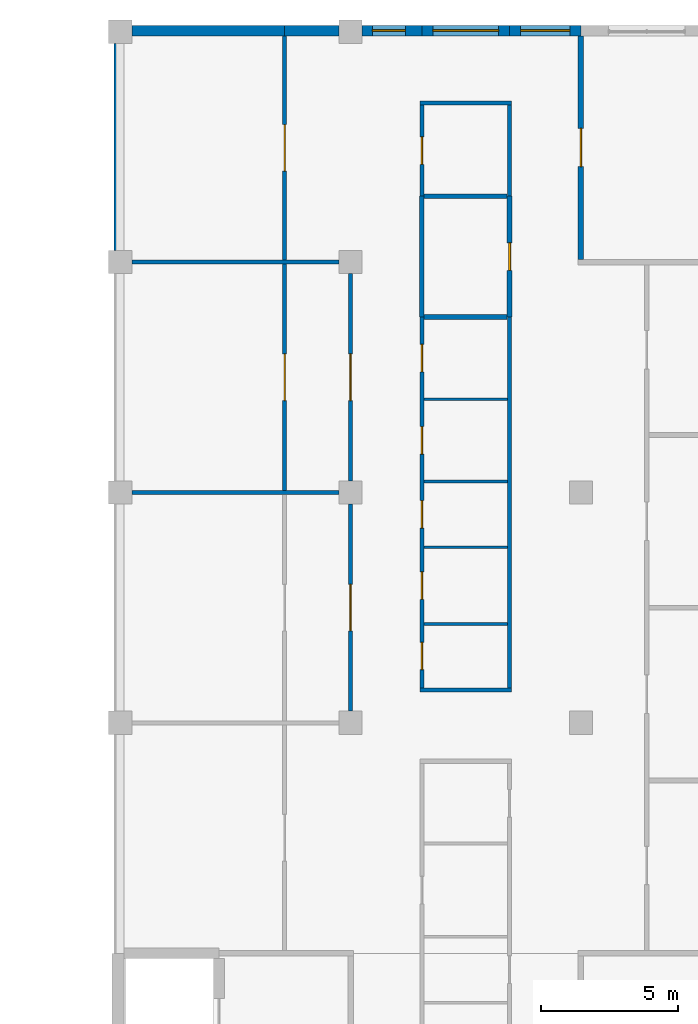
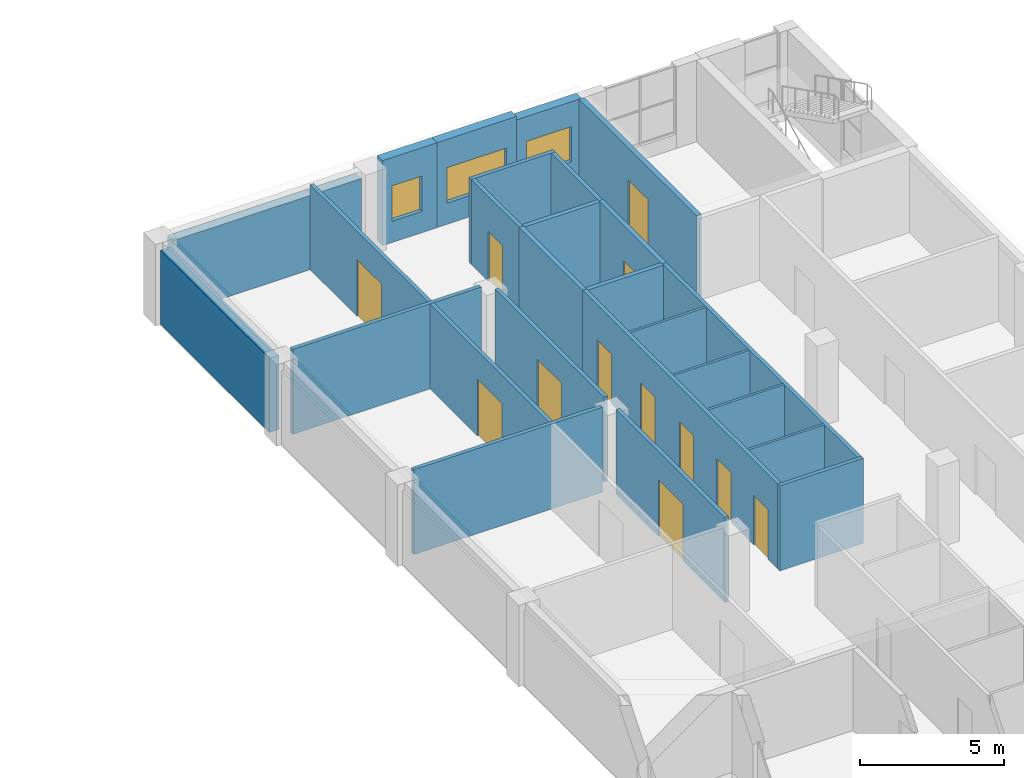
# One storey, part 77 of 94: 27 walls, 12 doors, 3 windows, 15 openings.
"""IFC4 building model written with IfcOpenShell, lengths in metres."""

import ifcopenshell
import ifcopenshell.guid

model = None  # the IFC model being written
_history = None  # IfcOwnerHistory: only IFC2X3 demands one
_inside = {}  # id of a spatial element -> (the spatial element, [elements in it])
_under = {}  # id of a project, library or spatial element -> (it, [spatial elements below it])
_declared = {}  # id of a project -> (the project, [libraries it declares])
_typed = {}  # id of a type object -> (the type object, [elements of that type])
_made_of = {}  # id of a material, layer set ... -> (it, [elements and type objects made of it])


def new_model(schema):
    """Start an empty IFC model of exactly this schema.

    Asked for "IFC4X3", IfcOpenShell would pick the latest addendum, in which some entities
    have other attributes; the version numbers below select the first issue.
    IFC2X3 requires an IfcOwnerHistory on every rooted entity: one is made here for all.
    """
    global model, _history
    if schema == "IFC4X3":
        model = ifcopenshell.file(schema_version=(4, 3, 0, 0))
    else:
        model = ifcopenshell.file(schema=schema)
    _inside.clear()
    _under.clear()
    _declared.clear()
    _typed.clear()
    _made_of.clear()
    _history = None
    if model.schema == "IFC2X3":
        org = make("IfcOrganization", Name="unknown")
        user = make(
            "IfcPersonAndOrganization",
            ThePerson=make("IfcPerson", FamilyName="unknown"),
            TheOrganization=org,
        )
        app = make(
            "IfcApplication",
            ApplicationDeveloper=org,
            Version="unknown",
            ApplicationFullName="unknown",
            ApplicationIdentifier="unknown",
        )
        _history = make(
            "IfcOwnerHistory",
            OwningUser=user,
            OwningApplication=app,
            ChangeAction="ADDED",
            CreationDate=0,
        )
    return model


def make(cls, **values):
    """One entity of the class cls with the attributes given. An attribute that is None is left unset."""
    return model.create_entity(
        cls, **{name: value for name, value in values.items() if value is not None}
    )


def rooted(cls, **values):
    """An entity with a GlobalId (a new one), such as an element, a storey or a relation."""
    return make(cls, GlobalId=ifcopenshell.guid.new(), OwnerHistory=_history, **values)


def si_unit(unit_type, name, prefix=None):
    """IfcSIUnit, for example si_unit("LENGTHUNIT", "METRE", prefix="MILLI")."""
    return make("IfcSIUnit", UnitType=unit_type, Prefix=prefix, Name=name)


def assignment(units):
    """IfcUnitAssignment: the units of a project."""
    return None if units is None else make("IfcUnitAssignment", Units=units)


def point(xyz):
    """IfcCartesianPoint."""
    return None if xyz is None else make("IfcCartesianPoint", Coordinates=xyz)


def direction(xyz):
    """IfcDirection."""
    return None if xyz is None else make("IfcDirection", DirectionRatios=xyz)


def frame(location, z_axis=None, x_axis=None):
    """IfcAxis2Placement3D, a coordinate frame: its origin and axes. An axis left out is left unset."""
    return make(
        "IfcAxis2Placement3D",
        Location=point(location),
        Axis=direction(z_axis),
        RefDirection=direction(x_axis),
    )


def frame_2d(location, x_axis=None):
    """IfcAxis2Placement2D, a coordinate frame in the plane: its origin and x axis."""
    return make(
        "IfcAxis2Placement2D", Location=point(location), RefDirection=direction(x_axis)
    )


def origin():
    """The frame at (0, 0, 0) with its axes left unset."""
    return frame((0.0, 0.0, 0.0))


def place(relative_to, where):
    """IfcLocalPlacement: puts the frame where relative to a parent placement (None: the world)."""
    return make(
        "IfcLocalPlacement", PlacementRelTo=relative_to, RelativePlacement=where
    )


def context(
    kind, dimensions, precision=None, world=None, true_north=None, identifier=None
):
    """IfcGeometricRepresentationContext, for example the 3D "Model" context."""
    return make(
        "IfcGeometricRepresentationContext",
        ContextIdentifier=identifier,
        ContextType=kind,
        CoordinateSpaceDimension=dimensions,
        Precision=precision,
        WorldCoordinateSystem=world,
        TrueNorth=true_north,
    )


def subcontext(parent, identifier, kind, view, scale=None):
    """IfcGeometricRepresentationSubContext, for example "Body" below "Model"."""
    return make(
        "IfcGeometricRepresentationSubContext",
        ContextIdentifier=identifier,
        ContextType=kind,
        ParentContext=parent,
        TargetScale=scale,
        TargetView=view,
    )


def project(units=None, contexts=None):
    """IfcProject with its units and contexts."""
    return rooted(
        "IfcProject",
        Name="project",
        RepresentationContexts=contexts,
        UnitsInContext=assignment(units),
    )


def spatial(cls, under=None, at=None, **own):
    """A site, building, storey or space (cls), placed at a placement, below another one or the project."""
    s = rooted(cls, ObjectPlacement=at, **own)
    if under is not None:
        _under.setdefault(under.id(), (under, []))[1].append(s)
    return s


def profile(cls, at=None, kind="AREA", **sizes):
    """A parametric profile (cls). Its sizes go by their IFC names, for example OverallWidth=200.0."""
    return make(cls, ProfileType=kind, Position=at, **sizes)


def rectangle(**sizes):
    """IfcRectangleProfileDef."""
    return profile("IfcRectangleProfileDef", **sizes)


def extrude(swept, where, along, depth):
    """IfcExtrudedAreaSolid: the profile swept, set in the frame where, extruded along a direction by depth."""
    return make(
        "IfcExtrudedAreaSolid",
        SweptArea=swept,
        Position=where,
        ExtrudedDirection=direction(along),
        Depth=depth,
    )


def shape(context_of_items, identifier, shape_type, items):
    """IfcShapeRepresentation: the items that make up one representation, for example the "Body"."""
    return make(
        "IfcShapeRepresentation",
        ContextOfItems=context_of_items,
        RepresentationIdentifier=identifier,
        RepresentationType=shape_type,
        Items=items,
    )


def material(Name=None, Category=None):
    """IfcMaterial."""
    return make("IfcMaterial", Name=Name, Category=Category)


def layer(
    of_material, thickness, ventilated=None, Name=None, Category=None, Priority=None
):
    """IfcMaterialLayer: one layer of a wall or slab, of a material (None: an air gap)."""
    return make(
        "IfcMaterialLayer",
        Material=of_material,
        LayerThickness=thickness,
        IsVentilated=ventilated,
        Name=Name,
        Category=Category,
        Priority=Priority,
    )


def layer_set(layers, Name=None):
    """IfcMaterialLayerSet."""
    return make("IfcMaterialLayerSet", MaterialLayers=layers, LayerSetName=Name)


def made_of(thing, what):
    """Note that an element or type object is made of a material, layer set ...; save() writes the relation."""
    if what is not None:
        _made_of.setdefault(what.id(), (what, []))[1].append(thing)
    return thing


def type_object(cls, material=None, **own):
    """A type object (cls), such as IfcWallType, which elements share."""
    return made_of(rooted(cls, **own), material)


def element(
    cls,
    number,
    at=None,
    inside=None,
    cuts=None,
    type_object=None,
    material=None,
    context=None,
    identifier="Body",
    shape_type=None,
    held_by="IfcProductDefinitionShape",
    body=None,
    shapes=None,
    **own,
):
    """One element of the class cls, such as IfcWall. Its Tag is "e" and its number.

    at: its placement. inside: the storey or other place that contains it. cuts: it is an
    opening in that element (IfcRelVoidsElement). A single representation is given by context,
    identifier, shape_type and body (its items); several are given by shapes. held_by: the class
    of the entity that holds the representations. save() writes the other relations.
    """
    e = rooted(cls, Tag="e%d" % number, ObjectPlacement=at, **own)
    if body is not None:
        shapes = [shape(context, identifier, shape_type, body)]
    if shapes is not None:
        e.Representation = make(held_by, Representations=shapes)
    if inside is not None:
        _inside.setdefault(inside.id(), (inside, []))[1].append(e)
    if cuts is not None:
        rooted(
            "IfcRelVoidsElement", RelatingBuildingElement=cuts, RelatedOpeningElement=e
        )
    if type_object is not None:
        _typed.setdefault(type_object.id(), (type_object, []))[1].append(e)
    return made_of(e, material)


def fill(opening, filler):
    """IfcRelFillsElement: the door or window that sits in an opening."""
    return rooted(
        "IfcRelFillsElement",
        RelatingOpeningElement=opening,
        RelatedBuildingElement=filler,
    )


def aggregate(whole, parts):
    """IfcRelAggregates: a whole, such as a stair, and the parts it consists of."""
    return rooted("IfcRelAggregates", RelatingObject=whole, RelatedObjects=parts)


def save(model, path):
    """Write the relations noted so far, then the file.

    IfcRelAggregates (storeys below a building ...), IfcRelContainedInSpatialStructure (elements
    in a storey), IfcRelDefinesByType, IfcRelAssociatesMaterial and IfcRelDeclares: one each for
    every whole, place, type object, material and project.
    """
    for whole, parts in _under.values():
        aggregate(whole, parts)
    for where, things in _inside.values():
        rooted(
            "IfcRelContainedInSpatialStructure",
            RelatedElements=things,
            RelatingStructure=where,
        )
    for kind, things in _typed.values():
        rooted("IfcRelDefinesByType", RelatedObjects=things, RelatingType=kind)
    for what, things in _made_of.values():
        rooted("IfcRelAssociatesMaterial", RelatedObjects=things, RelatingMaterial=what)
    for by, libraries in _declared.values():
        rooted("IfcRelDeclares", RelatingContext=by, RelatedDefinitions=libraries)
    model.write(path)


model = new_model("IFC4")

# Units and contexts
model_context = context("Model", 3, precision=1e-05, world=origin(), true_north=direction((0.0, 1.0)))
body_context = subcontext(model_context, "Body", "Model", "MODEL_VIEW")
ifc_project = project(units=[si_unit("LENGTHUNIT", "METRE"), si_unit("AREAUNIT", "SQUARE_METRE"), si_unit("VOLUMEUNIT", "CUBIC_METRE"), si_unit("PLANEANGLEUNIT", "RADIAN"), si_unit("MASSUNIT", "GRAM", prefix="KILO")], contexts=[model_context])

# Site, building, storey
site_placement = place(None, origin())
site = spatial("IfcSite", under=ifc_project, at=site_placement, CompositionType="ELEMENT")
building_placement = place(site_placement, origin())
building = spatial("IfcBuilding", under=site, at=building_placement, Name="Yavir Park General Hospital", CompositionType="ELEMENT")
storey_placement = place(building_placement, frame((0.0, 0.0, 4.5)))
storey = spatial("IfcBuildingStorey", under=building, at=storey_placement, Name="L01", CompositionType="ELEMENT", Elevation=4.5)

# Walls
ifc_material_1 = material(Name="Double-leaf gypsum board acoustic partition on staggered studs")
ifc_layer_1 = layer(ifc_material_1, 0.175048828125)
ifc_layer_set_1 = layer_set([ifc_layer_1], Name="Double-leaf gypsum board acoustic partition on staggered studs")
wall_type_1 = type_object("IfcWallType", Name="Acoustic partition 175", PredefinedType="PARTITIONING", material=ifc_layer_set_1)
for number, where, z_axis, x_axis, name in (
    (1, (153.887451171875, 107.199951171875, 0.0), (0.0, 0.0, 1.0), (1.0, 0.0, 0.0), "AP175 L01-261"),
    (2, (153.887451171875, 111.60009765625, 0.0), (0.0, 0.0, 1.0), (1.0, 0.0, 0.0), "AP175 L01-270"),
):
    element("IfcWall", number, at=place(storey_placement, frame(where, z_axis=z_axis, x_axis=x_axis)), inside=storey, type_object=wall_type_1, Name=name, PredefinedType="PARTITIONING", context=body_context, shape_type="SweptSolid", body=[
        extrude(rectangle(XDim=3.025146484375, YDim=0.175048828125, at=frame_2d((1.5126953125, 0.0))), origin(), (0.0, 0.0, 1.0), 3.60009765625),
    ])
wall_1_placement = place(storey_placement, frame((153.800048828125, 107.199951171875, 0.0), z_axis=(0.0, 0.0, 1.0), x_axis=(0.0, 1.0, 0.0)))
element("IfcWall", 3, at=wall_1_placement, inside=storey, type_object=wall_type_1, Name="AP175 L01-482", PredefinedType="PARTITIONING", context=body_context, shape_type="SweptSolid", body=[
    extrude(rectangle(XDim=4.400146484375, YDim=0.175048828125, at=frame_2d((2.2001953125, 0.0))), origin(), (0.0, 0.0, 1.0), 3.60009765625),
])

# Wall, opening, door
wall_2_placement = place(storey_placement, frame((157.0, 107.199951171875, 0.0), z_axis=(0.0, 0.0, 1.0), x_axis=(0.0, 1.0, 0.0)))
wall_2 = element("IfcWall", 4, at=wall_2_placement, inside=storey, type_object=wall_type_1, Name="AP175 L01-491", PredefinedType="PARTITIONING", context=body_context, shape_type="SweptSolid", body=[
    extrude(rectangle(XDim=4.400146484375, YDim=0.175048828125, at=frame_2d((2.2001953125, 0.0))), origin(), (0.0, 0.0, 1.0), 3.60009765625),
])
opening_1_placement = place(wall_2_placement, frame((1.699951171875, 0.0, 0.0)))
opening_1 = element("IfcOpeningElement", 5, at=opening_1_placement, cuts=wall_2, Name="Opening L01.D292", PredefinedType="OPENING", context=body_context, shape_type="SweptSolid", body=[
    extrude(rectangle(XDim=1.0, YDim=2.10009765625, at=frame_2d((0.5, 1.050048828125))), frame((0.0, 0.097412109375, 0.0), z_axis=(0.0, -1.0, 0.0), x_axis=(1.0, 0.0, 0.0)), (0.0, 0.0, 1.0), 0.195068359375),
])
ifc_material_2 = material(Name="Sealed solid-core acoustic door leaf, Rw 42 dB")
door_type_1 = type_object("IfcDoorType", Name="Acoustic door 1000 x 2100", OperationType="SINGLE_SWING_LEFT", PredefinedType="DOOR", material=ifc_material_2)
door_1_placement = place(opening_1_placement, origin())
door_1 = element("IfcDoor", 6, at=door_1_placement, inside=storey, type_object=door_type_1, Name="L01.D292", OperationType="SINGLE_SWING_RIGHT", OverallHeight=2.10009765625, OverallWidth=1.0, PredefinedType="DOOR", context=body_context, shape_type="SweptSolid", body=[
    extrude(rectangle(XDim=1.0, YDim=2.10009765625, at=frame_2d((0.5, 1.050048828125))), frame((0.0, 0.03515625, 0.0), z_axis=(0.0, -1.0, 0.0), x_axis=(1.0, 0.0, 0.0)), (0.0, 0.0, 1.0), 0.070068359375),
])
fill(opening_1, door_1)

ifc_material_3 = material(Name="Double gypsum board fire partition on steel studs", Category="steel")
ifc_layer_2 = layer(ifc_material_3, 0.199951171875)
ifc_layer_set_2 = layer_set([ifc_layer_2], Name="Double gypsum board fire partition on steel studs")
wall_type_2 = type_object("IfcWallType", Name="Fire-rated partition 200, EI 60", PredefinedType="PARTITIONING", material=ifc_layer_set_2)
wall_3_placement = place(storey_placement, frame((159.60009765625, 109.300048828125, 0.0), z_axis=(0.0, 0.0, 1.0), x_axis=(0.0, 1.0, 0.0)))
wall_3 = element("IfcWall", 7, at=wall_3_placement, inside=storey, type_object=wall_type_2, Name="FP20 L01-498", PredefinedType="PARTITIONING", context=body_context, shape_type="SweptSolid", body=[
    extrude(rectangle(XDim=8.14990234375, YDim=0.199951171875, at=frame_2d((4.074951171875, 0.0))), origin(), (0.0, 0.0, 1.0), 3.449951171875),
])
opening_2_placement = place(wall_3_placement, frame((3.375, 0.0, 0.0)))
opening_2 = element("IfcOpeningElement", 8, at=opening_2_placement, cuts=wall_3, Name="Opening L01.D297", PredefinedType="OPENING", context=body_context, shape_type="SweptSolid", body=[
    extrude(rectangle(XDim=1.39990234375, YDim=2.10009765625, at=frame_2d((0.699951171875, 1.050048828125))), frame((0.0, 0.10986328125, 0.0), z_axis=(0.0, -1.0, 0.0), x_axis=(1.0, 0.0, 0.0)), (0.0, 0.0, 1.0), 0.219970703125),
])
ifc_material_4 = material(Name="Steel frame, fire-resisting leaves with vision panels", Category="steel")
door_type_2 = type_object("IfcDoorType", Name="Double fire door with vision panels 1400 x 2100, EI 60", OperationType="DOUBLE_DOOR_SINGLE_SWING", PredefinedType="DOOR", material=ifc_material_4)
door_2_placement = place(opening_2_placement, origin())
door_2 = element("IfcDoor", 9, at=door_2_placement, inside=storey, type_object=door_type_2, Name="L01.D297", OperationType="SINGLE_SWING_LEFT", OverallHeight=2.10009765625, OverallWidth=1.39990234375, PredefinedType="DOOR", context=body_context, shape_type="SweptSolid", body=[
    extrude(rectangle(XDim=1.39990234375, YDim=2.10009765625, at=frame_2d((0.699951171875, 1.050048828125))), frame((0.0, 0.030029296875, 0.0), z_axis=(0.0, -1.0, 0.0), x_axis=(1.0, 0.0, 0.0)), (0.0, 0.0, 1.0), 0.06005859375),
])
fill(opening_2, door_2)

# Walls
ifc_material_5 = material(Name="Gypsum board partition on steel studs", Category="steel")
ifc_layer_3 = layer(ifc_material_5, 0.10009765625)
ifc_layer_set_3 = layer_set([ifc_layer_3], Name="Gypsum board partition on steel studs")
wall_type_3 = type_object("IfcWallType", Name="Gypsum board partition 100", PredefinedType="PARTITIONING", material=ifc_layer_set_3)
for number, where, z_axis, x_axis, name in (
    (10, (153.875, 96.0, 0.0), (0.0, 0.0, 1.0), (1.0, 0.0, 0.0), "P10 L01-246"),
    (11, (153.875, 98.800048828125, 0.0), (0.0, 0.0, 1.0), (1.0, 0.0, 0.0), "P10 L01-250"),
    (12, (153.875, 101.199951171875, 0.0), (0.0, 0.0, 1.0), (1.0, 0.0, 0.0), "P10 L01-256"),
    (13, (153.875, 104.199951171875, 0.0), (0.0, 0.0, 1.0), (1.0, 0.0, 0.0), "P10 L01-259"),
):
    element("IfcWall", number, at=place(storey_placement, frame(where, z_axis=z_axis, x_axis=x_axis)), inside=storey, type_object=wall_type_3, Name=name, PredefinedType="PARTITIONING", context=body_context, shape_type="SweptSolid", body=[
        extrude(rectangle(XDim=3.050048828125, YDim=0.10009765625, at=frame_2d((1.52490234375, 0.0))), origin(), (0.0, 0.0, 1.0), 3.60009765625),
    ])
ifc_material_6 = material(Name="Gypsum board partition on steel studs", Category="steel")
ifc_layer_4 = layer(ifc_material_6, 0.14990234375)
ifc_layer_set_4 = layer_set([ifc_layer_4], Name="Gypsum board partition on steel studs")
wall_type_4 = type_object("IfcWallType", Name="Gypsum board partition 150", PredefinedType="PARTITIONING", material=ifc_layer_set_4)
wall_4_placement = place(storey_placement, frame((153.72509765625, 93.60009765625, 0.0), z_axis=(0.0, 0.0, 1.0), x_axis=(1.0, 0.0, 0.0)))
element("IfcWall", 14, at=wall_4_placement, inside=storey, type_object=wall_type_4, Name="P15 L01-244", PredefinedType="PARTITIONING", context=body_context, shape_type="SweptSolid", body=[
    extrude(rectangle(XDim=3.349853515625, YDim=0.14990234375, at=frame_2d((1.6748046875, 0.0))), origin(), (0.0, 0.0, 1.0), 3.60009765625),
])
for number, where, z_axis, x_axis, name in (
    (15, (143.22509765625, 100.800048828125, 0.0), (0.0, 0.0, 1.0), (1.0, 0.0, 0.0), "P15 L01-255"),
    (16, (143.22509765625, 109.199951171875, 0.0), (0.0, 0.0, 1.0), (1.0, 0.0, 0.0), "P15 L01-266"),
):
    element("IfcWall", number, at=place(storey_placement, frame(where, z_axis=z_axis, x_axis=x_axis)), inside=storey, type_object=wall_type_4, Name=name, PredefinedType="PARTITIONING", context=body_context, shape_type="SweptSolid", body=[
        extrude(rectangle(XDim=7.5498046875, YDim=0.14990234375, at=frame_2d((3.77490234375, 0.0))), origin(), (0.0, 0.0, 1.0), 3.60009765625),
    ])
wall_5_placement = place(storey_placement, frame((153.72509765625, 115.0, 0.0), z_axis=(0.0, 0.0, 1.0), x_axis=(1.0, 0.0, 0.0)))
element("IfcWall", 17, at=wall_5_placement, inside=storey, type_object=wall_type_4, Name="P15 L01-274", PredefinedType="PARTITIONING", context=body_context, shape_type="SweptSolid", body=[
    extrude(rectangle(XDim=3.349853515625, YDim=0.14990234375, at=frame_2d((1.6748046875, 0.0))), origin(), (0.0, 0.0, 1.0), 3.60009765625),
])

# Wall, opening, door
wall_6_placement = place(storey_placement, frame((148.800048828125, 100.875, 0.0), z_axis=(0.0, 0.0, 1.0), x_axis=(0.0, 1.0, 0.0)))
wall_6 = element("IfcWall", 18, at=wall_6_placement, inside=storey, type_object=wall_type_4, Name="P15 L01-467", PredefinedType="PARTITIONING", context=body_context, shape_type="SweptSolid", body=[
    extrude(rectangle(XDim=8.25, YDim=0.14990234375, at=frame_2d((4.125, 0.0))), origin(), (0.0, 0.0, 1.0), 3.60009765625),
])
opening_3_placement = place(wall_6_placement, frame((3.27490234375, 0.0, 0.0)))
opening_3 = element("IfcOpeningElement", 19, at=opening_3_placement, cuts=wall_6, Name="Opening L01.D260", PredefinedType="OPENING", context=body_context, shape_type="SweptSolid", body=[
    extrude(rectangle(XDim=1.699951171875, YDim=2.39990234375, at=frame_2d((0.85009765625, 1.199951171875))), frame((0.0, 0.0849609375, 0.0), z_axis=(0.0, -1.0, 0.0), x_axis=(1.0, 0.0, 0.0)), (0.0, 0.0, 1.0), 0.169921875),
])
ifc_material_7 = material(Name="Hollow metal frame, solid-core timber leaf", Category="wood")
door_type_3 = type_object("IfcDoorType", Name="Double swing door 1700 x 2400", OperationType="DOUBLE_DOOR_SINGLE_SWING", PredefinedType="DOOR", material=ifc_material_7)
door_3_placement = place(opening_3_placement, origin())
door_3 = element("IfcDoor", 20, at=door_3_placement, inside=storey, type_object=door_type_3, Name="L01.D260", OperationType="SINGLE_SWING_LEFT", OverallHeight=2.39990234375, OverallWidth=1.699951171875, PredefinedType="DOOR", context=body_context, shape_type="SweptSolid", body=[
    extrude(rectangle(XDim=1.699951171875, YDim=2.39990234375, at=frame_2d((0.85009765625, 1.199951171875))), frame((0.0, 0.02490234375, 0.0), z_axis=(0.0, -1.0, 0.0), x_axis=(1.0, 0.0, 0.0)), (0.0, 0.0, 1.0), 0.050048828125),
])
fill(opening_3, door_3)

wall_7_placement = place(storey_placement, frame((148.800048828125, 109.27490234375, 0.0), z_axis=(0.0, 0.0, 1.0), x_axis=(0.0, 1.0, 0.0)))
wall_7 = element("IfcWall", 21, at=wall_7_placement, inside=storey, type_object=wall_type_4, Name="P15 L01-468", PredefinedType="PARTITIONING", context=body_context, shape_type="SweptSolid", body=[
    extrude(rectangle(XDim=8.175048828125, YDim=0.14990234375, at=frame_2d((4.08740234375, 0.0))), origin(), (0.0, 0.0, 1.0), 3.60009765625),
])
opening_4_placement = place(wall_7_placement, frame((3.237548828125, 0.0, 0.0)))
opening_4 = element("IfcOpeningElement", 22, at=opening_4_placement, cuts=wall_7, Name="Opening L01.D261", PredefinedType="OPENING", context=body_context, shape_type="SweptSolid", body=[
    extrude(rectangle(XDim=1.699951171875, YDim=2.39990234375, at=frame_2d((0.85009765625, 1.199951171875))), frame((0.0, 0.0849609375, 0.0), z_axis=(0.0, -1.0, 0.0), x_axis=(1.0, 0.0, 0.0)), (0.0, 0.0, 1.0), 0.169921875),
])
door_4_placement = place(opening_4_placement, origin())
door_4 = element("IfcDoor", 23, at=door_4_placement, inside=storey, type_object=door_type_3, Name="L01.D261", OperationType="SINGLE_SWING_LEFT", OverallHeight=2.39990234375, OverallWidth=1.699951171875, PredefinedType="DOOR", context=body_context, shape_type="SweptSolid", body=[
    extrude(rectangle(XDim=1.699951171875, YDim=2.39990234375, at=frame_2d((0.85009765625, 1.199951171875))), frame((0.0, 0.02490234375, 0.0), z_axis=(0.0, -1.0, 0.0), x_axis=(1.0, 0.0, 0.0)), (0.0, 0.0, 1.0), 0.050048828125),
])
fill(opening_4, door_4)

wall_8_placement = place(storey_placement, frame((151.199951171875, 92.824951171875, 0.0), z_axis=(0.0, 0.0, 1.0), x_axis=(0.0, 1.0, 0.0)))
wall_8 = element("IfcWall", 24, at=wall_8_placement, inside=storey, type_object=wall_type_4, Name="P15 L01-475", PredefinedType="PARTITIONING", context=body_context, shape_type="SweptSolid", body=[
    extrude(rectangle(XDim=7.550048828125, YDim=0.14990234375, at=frame_2d((3.77490234375, 0.0))), origin(), (0.0, 0.0, 1.0), 3.60009765625),
])
opening_5_placement = place(wall_8_placement, frame((2.925048828125, 0.0, 0.0)))
opening_5 = element("IfcOpeningElement", 25, at=opening_5_placement, cuts=wall_8, Name="Opening L01.D265", PredefinedType="OPENING", context=body_context, shape_type="SweptSolid", body=[
    extrude(rectangle(XDim=1.699951171875, YDim=2.39990234375, at=frame_2d((0.85009765625, 1.199951171875))), frame((0.0, 0.0849609375, 0.0), z_axis=(0.0, -1.0, 0.0), x_axis=(1.0, 0.0, 0.0)), (0.0, 0.0, 1.0), 0.169921875),
])
door_5_placement = place(opening_5_placement, origin())
door_5 = element("IfcDoor", 26, at=door_5_placement, inside=storey, type_object=door_type_3, Name="L01.D265", OperationType="SINGLE_SWING_RIGHT", OverallHeight=2.39990234375, OverallWidth=1.699951171875, PredefinedType="DOOR", context=body_context, shape_type="SweptSolid", body=[
    extrude(rectangle(XDim=1.699951171875, YDim=2.39990234375, at=frame_2d((0.85009765625, 1.199951171875))), frame((0.0, 0.02490234375, 0.0), z_axis=(0.0, -1.0, 0.0), x_axis=(1.0, 0.0, 0.0)), (0.0, 0.0, 1.0), 0.050048828125),
])
fill(opening_5, door_5)

wall_9_placement = place(storey_placement, frame((151.199951171875, 101.22509765625, 0.0), z_axis=(0.0, 0.0, 1.0), x_axis=(0.0, 1.0, 0.0)))
wall_9 = element("IfcWall", 27, at=wall_9_placement, inside=storey, type_object=wall_type_4, Name="P15 L01-476", PredefinedType="PARTITIONING", context=body_context, shape_type="SweptSolid", body=[
    extrude(rectangle(XDim=7.5498046875, YDim=0.14990234375, at=frame_2d((3.77490234375, 0.0))), origin(), (0.0, 0.0, 1.0), 3.60009765625),
])
opening_6_placement = place(wall_9_placement, frame((2.925048828125, 0.0, 0.0)))
opening_6 = element("IfcOpeningElement", 28, at=opening_6_placement, cuts=wall_9, Name="Opening L01.D266", PredefinedType="OPENING", context=body_context, shape_type="SweptSolid", body=[
    extrude(rectangle(XDim=1.699951171875, YDim=2.39990234375, at=frame_2d((0.85009765625, 1.199951171875))), frame((0.0, 0.0849609375, 0.0), z_axis=(0.0, -1.0, 0.0), x_axis=(1.0, 0.0, 0.0)), (0.0, 0.0, 1.0), 0.169921875),
])
door_6_placement = place(opening_6_placement, origin())
door_6 = element("IfcDoor", 29, at=door_6_placement, inside=storey, type_object=door_type_3, Name="L01.D266", OperationType="SINGLE_SWING_RIGHT", OverallHeight=2.39990234375, OverallWidth=1.699951171875, PredefinedType="DOOR", context=body_context, shape_type="SweptSolid", body=[
    extrude(rectangle(XDim=1.699951171875, YDim=2.39990234375, at=frame_2d((0.85009765625, 1.199951171875))), frame((0.0, 0.02490234375, 0.0), z_axis=(0.0, -1.0, 0.0), x_axis=(1.0, 0.0, 0.0)), (0.0, 0.0, 1.0), 0.050048828125),
])
fill(opening_6, door_6)

# Wall, openings, doors
wall_10_placement = place(storey_placement, frame((153.800048828125, 93.675048828125, 0.0), z_axis=(0.0, 0.0, 1.0), x_axis=(0.0, 1.0, 0.0)))
wall_10 = element("IfcWall", 30, at=wall_10_placement, inside=storey, type_object=wall_type_4, Name="P15 L01-481", PredefinedType="PARTITIONING", context=body_context, shape_type="SweptSolid", body=[
    extrude(rectangle(XDim=13.52490234375, YDim=0.14990234375, at=frame_2d((6.762451171875, 0.0))), origin(), (0.0, 0.0, 1.0), 3.60009765625),
])
opening_7_placement = place(wall_10_placement, frame((0.66259765625, 0.0, 0.0)))
opening_7 = element("IfcOpeningElement", 31, at=opening_7_placement, cuts=wall_10, Name="Opening L01.D276", PredefinedType="OPENING", context=body_context, shape_type="SweptSolid", body=[
    extrude(rectangle(XDim=1.0, YDim=2.10009765625, at=frame_2d((0.5, 1.050048828125))), frame((0.0, 0.0849609375, 0.0), z_axis=(0.0, -1.0, 0.0), x_axis=(1.0, 0.0, 0.0)), (0.0, 0.0, 1.0), 0.169921875),
])
opening_8_placement = place(wall_10_placement, frame((3.22509765625, 0.0, 0.0)))
opening_8 = element("IfcOpeningElement", 32, at=opening_8_placement, cuts=wall_10, Name="Opening L01.D277", PredefinedType="OPENING", context=body_context, shape_type="SweptSolid", body=[
    extrude(rectangle(XDim=1.0, YDim=2.10009765625, at=frame_2d((0.5, 1.050048828125))), frame((0.0, 0.0849609375, 0.0), z_axis=(0.0, -1.0, 0.0), x_axis=(1.0, 0.0, 0.0)), (0.0, 0.0, 1.0), 0.169921875),
])
opening_9_placement = place(wall_10_placement, frame((5.824951171875, 0.0, 0.0)))
opening_9 = element("IfcOpeningElement", 33, at=opening_9_placement, cuts=wall_10, Name="Opening L01.D278", PredefinedType="OPENING", context=body_context, shape_type="SweptSolid", body=[
    extrude(rectangle(XDim=1.0, YDim=2.10009765625, at=frame_2d((0.5, 1.050048828125))), frame((0.0, 0.0849609375, 0.0), z_axis=(0.0, -1.0, 0.0), x_axis=(1.0, 0.0, 0.0)), (0.0, 0.0, 1.0), 0.169921875),
])
opening_10_placement = place(wall_10_placement, frame((8.52490234375, 0.0, 0.0)))
opening_10 = element("IfcOpeningElement", 34, at=opening_10_placement, cuts=wall_10, Name="Opening L01.D279", PredefinedType="OPENING", context=body_context, shape_type="SweptSolid", body=[
    extrude(rectangle(XDim=1.0, YDim=2.10009765625, at=frame_2d((0.5, 1.050048828125))), frame((0.0, 0.0849609375, 0.0), z_axis=(0.0, -1.0, 0.0), x_axis=(1.0, 0.0, 0.0)), (0.0, 0.0, 1.0), 0.169921875),
])
opening_11_placement = place(wall_10_placement, frame((11.52490234375, 0.0, 0.0)))
opening_11 = element("IfcOpeningElement", 35, at=opening_11_placement, cuts=wall_10, Name="Opening L01.D280", PredefinedType="OPENING", context=body_context, shape_type="SweptSolid", body=[
    extrude(rectangle(XDim=1.0, YDim=2.10009765625, at=frame_2d((0.5, 1.050048828125))), frame((0.0, 0.0849609375, 0.0), z_axis=(0.0, -1.0, 0.0), x_axis=(1.0, 0.0, 0.0)), (0.0, 0.0, 1.0), 0.169921875),
])
ifc_material_8 = material(Name="Hollow metal frame, solid-core timber leaf", Category="wood")
door_type_4 = type_object("IfcDoorType", Name="Single swing door 1000 x 2100", OperationType="SINGLE_SWING_LEFT", PredefinedType="DOOR", material=ifc_material_8)
door_7_placement = place(opening_7_placement, origin())
door_7 = element("IfcDoor", 36, at=door_7_placement, inside=storey, type_object=door_type_4, Name="L01.D276", OperationType="SINGLE_SWING_RIGHT", OverallHeight=2.10009765625, OverallWidth=1.0, PredefinedType="DOOR", context=body_context, shape_type="SweptSolid", body=[
    extrude(rectangle(XDim=1.0, YDim=2.10009765625, at=frame_2d((0.5, 1.050048828125))), frame((0.0, 0.02490234375, 0.0), z_axis=(0.0, -1.0, 0.0), x_axis=(1.0, 0.0, 0.0)), (0.0, 0.0, 1.0), 0.050048828125),
])
fill(opening_7, door_7)
door_8_placement = place(opening_8_placement, origin())
door_8 = element("IfcDoor", 37, at=door_8_placement, inside=storey, type_object=door_type_4, Name="L01.D277", OperationType="SINGLE_SWING_LEFT", OverallHeight=2.10009765625, OverallWidth=1.0, PredefinedType="DOOR", context=body_context, shape_type="SweptSolid", body=[
    extrude(rectangle(XDim=1.0, YDim=2.10009765625, at=frame_2d((0.5, 1.050048828125))), frame((0.0, 0.02490234375, 0.0), z_axis=(0.0, -1.0, 0.0), x_axis=(1.0, 0.0, 0.0)), (0.0, 0.0, 1.0), 0.050048828125),
])
fill(opening_8, door_8)
door_9_placement = place(opening_9_placement, origin())
door_9 = element("IfcDoor", 38, at=door_9_placement, inside=storey, type_object=door_type_4, Name="L01.D278", OperationType="SINGLE_SWING_LEFT", OverallHeight=2.10009765625, OverallWidth=1.0, PredefinedType="DOOR", context=body_context, shape_type="SweptSolid", body=[
    extrude(rectangle(XDim=1.0, YDim=2.10009765625, at=frame_2d((0.5, 1.050048828125))), frame((0.0, 0.02490234375, 0.0), z_axis=(0.0, -1.0, 0.0), x_axis=(1.0, 0.0, 0.0)), (0.0, 0.0, 1.0), 0.050048828125),
])
fill(opening_9, door_9)
door_10_placement = place(opening_10_placement, origin())
door_10 = element("IfcDoor", 39, at=door_10_placement, inside=storey, type_object=door_type_4, Name="L01.D279", OperationType="SINGLE_SWING_LEFT", OverallHeight=2.10009765625, OverallWidth=1.0, PredefinedType="DOOR", context=body_context, shape_type="SweptSolid", body=[
    extrude(rectangle(XDim=1.0, YDim=2.10009765625, at=frame_2d((0.5, 1.050048828125))), frame((0.0, 0.02490234375, 0.0), z_axis=(0.0, -1.0, 0.0), x_axis=(1.0, 0.0, 0.0)), (0.0, 0.0, 1.0), 0.050048828125),
])
fill(opening_10, door_10)
door_11_placement = place(opening_11_placement, origin())
door_11 = element("IfcDoor", 40, at=door_11_placement, inside=storey, type_object=door_type_4, Name="L01.D280", OperationType="SINGLE_SWING_LEFT", OverallHeight=2.10009765625, OverallWidth=1.0, PredefinedType="DOOR", context=body_context, shape_type="SweptSolid", body=[
    extrude(rectangle(XDim=1.0, YDim=2.10009765625, at=frame_2d((0.5, 1.050048828125))), frame((0.0, 0.02490234375, 0.0), z_axis=(0.0, -1.0, 0.0), x_axis=(1.0, 0.0, 0.0)), (0.0, 0.0, 1.0), 0.050048828125),
])
fill(opening_11, door_11)

# Wall, opening, door
wall_11_placement = place(storey_placement, frame((153.800048828125, 111.60009765625, 0.0), z_axis=(0.0, 0.0, 1.0), x_axis=(0.0, 1.0, 0.0)))
wall_11 = element("IfcWall", 41, at=wall_11_placement, inside=storey, type_object=wall_type_4, Name="P15 L01-483", PredefinedType="PARTITIONING", context=body_context, shape_type="SweptSolid", body=[
    extrude(rectangle(XDim=3.324951171875, YDim=0.14990234375, at=frame_2d((1.66259765625, 0.0))), origin(), (0.0, 0.0, 1.0), 3.60009765625),
])
opening_12_placement = place(wall_11_placement, frame((1.16259765625, 0.0, 0.0)))
opening_12 = element("IfcOpeningElement", 42, at=opening_12_placement, cuts=wall_11, Name="Opening L01.D281", PredefinedType="OPENING", context=body_context, shape_type="SweptSolid", body=[
    extrude(rectangle(XDim=1.0, YDim=2.10009765625, at=frame_2d((0.5, 1.050048828125))), frame((0.0, 0.0849609375, 0.0), z_axis=(0.0, -1.0, 0.0), x_axis=(1.0, 0.0, 0.0)), (0.0, 0.0, 1.0), 0.169921875),
])
door_12_placement = place(opening_12_placement, origin())
door_12 = element("IfcDoor", 43, at=door_12_placement, inside=storey, type_object=door_type_4, Name="L01.D281", OperationType="SINGLE_SWING_LEFT", OverallHeight=2.10009765625, OverallWidth=1.0, PredefinedType="DOOR", context=body_context, shape_type="SweptSolid", body=[
    extrude(rectangle(XDim=1.0, YDim=2.10009765625, at=frame_2d((0.5, 1.050048828125))), frame((0.0, 0.02490234375, 0.0), z_axis=(0.0, -1.0, 0.0), x_axis=(1.0, 0.0, 0.0)), (0.0, 0.0, 1.0), 0.050048828125),
])
fill(opening_12, door_12)

# Walls
wall_12_placement = place(storey_placement, frame((157.0, 93.675048828125, 0.0), z_axis=(0.0, 0.0, 1.0), x_axis=(0.0, 1.0, 0.0)))
element("IfcWall", 44, at=wall_12_placement, inside=storey, type_object=wall_type_4, Name="P15 L01-490", PredefinedType="PARTITIONING", context=body_context, shape_type="SweptSolid", body=[
    extrude(rectangle(XDim=13.52490234375, YDim=0.14990234375, at=frame_2d((6.762451171875, 0.0))), origin(), (0.0, 0.0, 1.0), 3.60009765625),
])
wall_13_placement = place(storey_placement, frame((157.0, 111.60009765625, 0.0), z_axis=(0.0, 0.0, 1.0), x_axis=(0.0, 1.0, 0.0)))
element("IfcWall", 45, at=wall_13_placement, inside=storey, type_object=wall_type_4, Name="P15 L01-492", PredefinedType="PARTITIONING", context=body_context, shape_type="SweptSolid", body=[
    extrude(rectangle(XDim=3.324951171875, YDim=0.14990234375, at=frame_2d((1.66259765625, 0.0))), origin(), (0.0, 0.0, 1.0), 3.60009765625),
])
ifc_material_9 = material(Name="Autoclaved aerated block, 150 mm mineral wool and sand-coloured mineral render")
ifc_layer_5 = layer(ifc_material_9, 0.375)
ifc_layer_set_5 = layer_set([ifc_layer_5], Name="Autoclaved aerated block, 150 mm mineral wool and sand-coloured mineral render")
wall_type_5 = type_object("IfcWallType", Name="Mineral render clinical wall 375, E 30", PredefinedType="SOLIDWALL", material=ifc_layer_set_5)
wall_14_placement = place(storey_placement, frame((143.22509765625, 117.637451171875, 0.0), z_axis=(0.0, 0.0, 1.0), x_axis=(1.0, 0.0, 0.0)))
element("IfcWall", 46, at=wall_14_placement, inside=storey, type_object=wall_type_5, Name="XW1 L01-123", PredefinedType="SOLIDWALL", context=body_context, shape_type="SweptSolid", body=[
    extrude(rectangle(XDim=5.574951171875, YDim=0.375, at=frame_2d((2.78759765625, 0.0))), origin(), (0.0, 0.0, 1.0), 3.14990234375),
])
wall_15_placement = place(storey_placement, frame((148.800048828125, 117.637451171875, 0.0), z_axis=(0.0, 0.0, 1.0), x_axis=(1.0, 0.0, 0.0)))
element("IfcWall", 47, at=wall_15_placement, inside=storey, type_object=wall_type_5, Name="XW1 L01-124", PredefinedType="SOLIDWALL", context=body_context, shape_type="SweptSolid", body=[
    extrude(rectangle(XDim=1.974853515625, YDim=0.375, at=frame_2d((0.9873046875, 0.0))), origin(), (0.0, 0.0, 1.0), 3.14990234375),
])

# Wall, opening, window
wall_16_placement = place(storey_placement, frame((151.625, 117.637451171875, 0.0), z_axis=(0.0, 0.0, 1.0), x_axis=(1.0, 0.0, 0.0)))
wall_16 = element("IfcWall", 48, at=wall_16_placement, inside=storey, type_object=wall_type_5, Name="XW1 L01-125", PredefinedType="SOLIDWALL", context=body_context, shape_type="SweptSolid", body=[
    extrude(rectangle(XDim=2.175048828125, YDim=0.375, at=frame_2d((1.08740234375, 0.0))), origin(), (0.0, 0.0, 1.0), 3.60009765625),
])
opening_13_placement = place(wall_16_placement, frame((0.375, 0.0, 0.89990234375)))
opening_13 = element("IfcOpeningElement", 49, at=opening_13_placement, cuts=wall_16, Name="Opening WD", PredefinedType="OPENING", context=body_context, shape_type="SweptSolid", body=[
    extrude(rectangle(XDim=1.199951171875, YDim=1.5, at=frame_2d((0.60009765625, 0.75))), frame((0.0, 0.197509765625, 0.0), z_axis=(0.0, -1.0, 0.0), x_axis=(1.0, 0.0, 0.0)), (0.0, 0.0, 1.0), 0.39501953125),
])
ifc_material_10 = material(Name="Aluminium frame, double glazed unit", Category="aluminium")
window_type_1 = type_object("IfcWindowType", Name="Office window 1200 x 1500", PartitioningType="SINGLE_PANEL", PredefinedType="WINDOW", material=ifc_material_10)
window_1_placement = place(opening_13_placement, origin())
window_1 = element("IfcWindow", 50, at=window_1_placement, inside=storey, type_object=window_type_1, Name="WD L01-069", OverallHeight=1.5, OverallWidth=1.199951171875, PartitioningType="SINGLE_PANEL", PredefinedType="WINDOW", context=body_context, shape_type="SweptSolid", body=[
    extrude(rectangle(XDim=1.199951171875, YDim=1.5, at=frame_2d((0.60009765625, 0.75))), frame((0.0, 0.030029296875, 0.0), z_axis=(0.0, -1.0, 0.0), x_axis=(1.0, 0.0, 0.0)), (0.0, 0.0, 1.0), 0.06005859375),
])
fill(opening_13, window_1)

wall_17_placement = place(storey_placement, frame((153.800048828125, 117.637451171875, 0.0), z_axis=(0.0, 0.0, 1.0), x_axis=(1.0, 0.0, 0.0)))
wall_17 = element("IfcWall", 51, at=wall_17_placement, inside=storey, type_object=wall_type_5, Name="XW1 L01-126", PredefinedType="SOLIDWALL", context=body_context, shape_type="SweptSolid", body=[
    extrude(rectangle(XDim=3.199951171875, YDim=0.375, at=frame_2d((1.60009765625, 0.0))), origin(), (0.0, 0.0, 1.0), 3.60009765625),
])
opening_14_placement = place(wall_17_placement, frame((0.39990234375, 0.0, 0.89990234375)))
opening_14 = element("IfcOpeningElement", 52, at=opening_14_placement, cuts=wall_17, Name="Opening WF", PredefinedType="OPENING", context=body_context, shape_type="SweptSolid", body=[
    extrude(rectangle(XDim=2.39990234375, YDim=1.5, at=frame_2d((1.199951171875, 0.75))), frame((0.0, 0.197509765625, 0.0), z_axis=(0.0, -1.0, 0.0), x_axis=(1.0, 0.0, 0.0)), (0.0, 0.0, 1.0), 0.39501953125),
])
ifc_material_11 = material(Name="Aluminium frame, double glazed unit", Category="aluminium")
window_type_2 = type_object("IfcWindowType", Name="Corridor end window 2400 x 1500", PartitioningType="DOUBLE_PANEL_VERTICAL", PredefinedType="WINDOW", material=ifc_material_11)
window_2_placement = place(opening_14_placement, origin())
window_2 = element("IfcWindow", 53, at=window_2_placement, inside=storey, type_object=window_type_2, Name="WF L01-070", OverallHeight=1.5, OverallWidth=2.39990234375, PartitioningType="DOUBLE_PANEL_VERTICAL", PredefinedType="WINDOW", context=body_context, shape_type="SweptSolid", body=[
    extrude(rectangle(XDim=2.39990234375, YDim=1.5, at=frame_2d((1.199951171875, 0.75))), frame((0.0, 0.030029296875, 0.0), z_axis=(0.0, -1.0, 0.0), x_axis=(1.0, 0.0, 0.0)), (0.0, 0.0, 1.0), 0.06005859375),
])
fill(opening_14, window_2)

wall_18_placement = place(storey_placement, frame((157.0, 117.637451171875, 0.0), z_axis=(0.0, 0.0, 1.0), x_axis=(1.0, 0.0, 0.0)))
wall_18 = element("IfcWall", 54, at=wall_18_placement, inside=storey, type_object=wall_type_5, Name="XW1 L01-127", PredefinedType="SOLIDWALL", context=body_context, shape_type="SweptSolid", body=[
    extrude(rectangle(XDim=2.60009765625, YDim=0.375, at=frame_2d((1.300048828125, 0.0))), origin(), (0.0, 0.0, 1.0), 3.449951171875),
])
opening_15_placement = place(wall_18_placement, frame((0.39990234375, 0.0, 0.89990234375)))
opening_15 = element("IfcOpeningElement", 55, at=opening_15_placement, cuts=wall_18, Name="Opening WG", PredefinedType="OPENING", context=body_context, shape_type="SweptSolid", body=[
    extrude(rectangle(XDim=1.800048828125, YDim=1.5, at=frame_2d((0.89990234375, 0.75))), frame((0.0, 0.197509765625, 0.0), z_axis=(0.0, -1.0, 0.0), x_axis=(1.0, 0.0, 0.0)), (0.0, 0.0, 1.0), 0.39501953125),
])
ifc_material_12 = material(Name="Aluminium frame, double glazed unit", Category="aluminium")
window_type_3 = type_object("IfcWindowType", Name="Single-bay window 1800 x 1500", PartitioningType="DOUBLE_PANEL_VERTICAL", PredefinedType="WINDOW", material=ifc_material_12)
window_3_placement = place(opening_15_placement, origin())
window_3 = element("IfcWindow", 56, at=window_3_placement, inside=storey, type_object=window_type_3, Name="WG L01-071", OverallHeight=1.5, OverallWidth=1.800048828125, PartitioningType="DOUBLE_PANEL_VERTICAL", PredefinedType="WINDOW", context=body_context, shape_type="SweptSolid", body=[
    extrude(rectangle(XDim=1.800048828125, YDim=1.5, at=frame_2d((0.89990234375, 0.75))), frame((0.0, 0.030029296875, 0.0), z_axis=(0.0, -1.0, 0.0), x_axis=(1.0, 0.0, 0.0)), (0.0, 0.0, 1.0), 0.06005859375),
])
fill(opening_15, window_3)

# Wall
wall_19_placement = place(storey_placement, frame((142.762451171875, 109.625, 0.0), z_axis=(0.0, 0.0, 1.0), x_axis=(0.0, 1.0, 0.0)))
element("IfcWall", 57, at=wall_19_placement, inside=storey, type_object=wall_type_5, Name="XW1 L01-207", PredefinedType="SOLIDWALL", context=body_context, shape_type="SweptSolid", body=[
    extrude(rectangle(XDim=7.550048828125, YDim=0.375, at=frame_2d((3.77490234375, 0.0))), origin(), (0.0, 0.0, 1.0), 3.14990234375),
])

save(model, "model.ifc")
